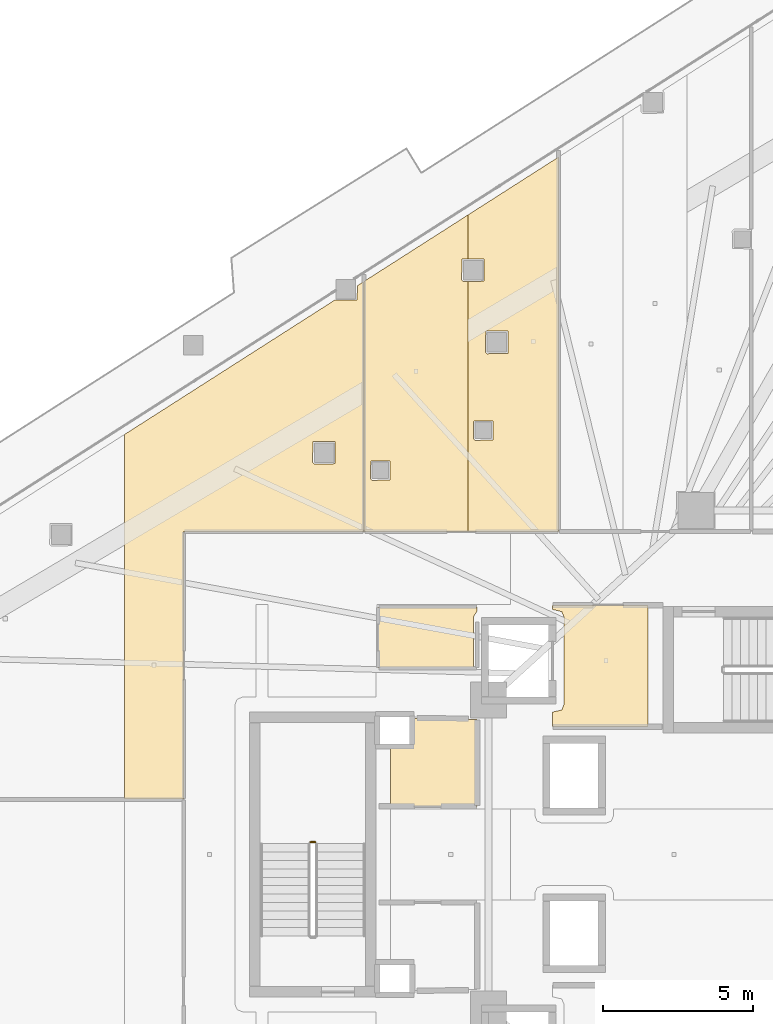
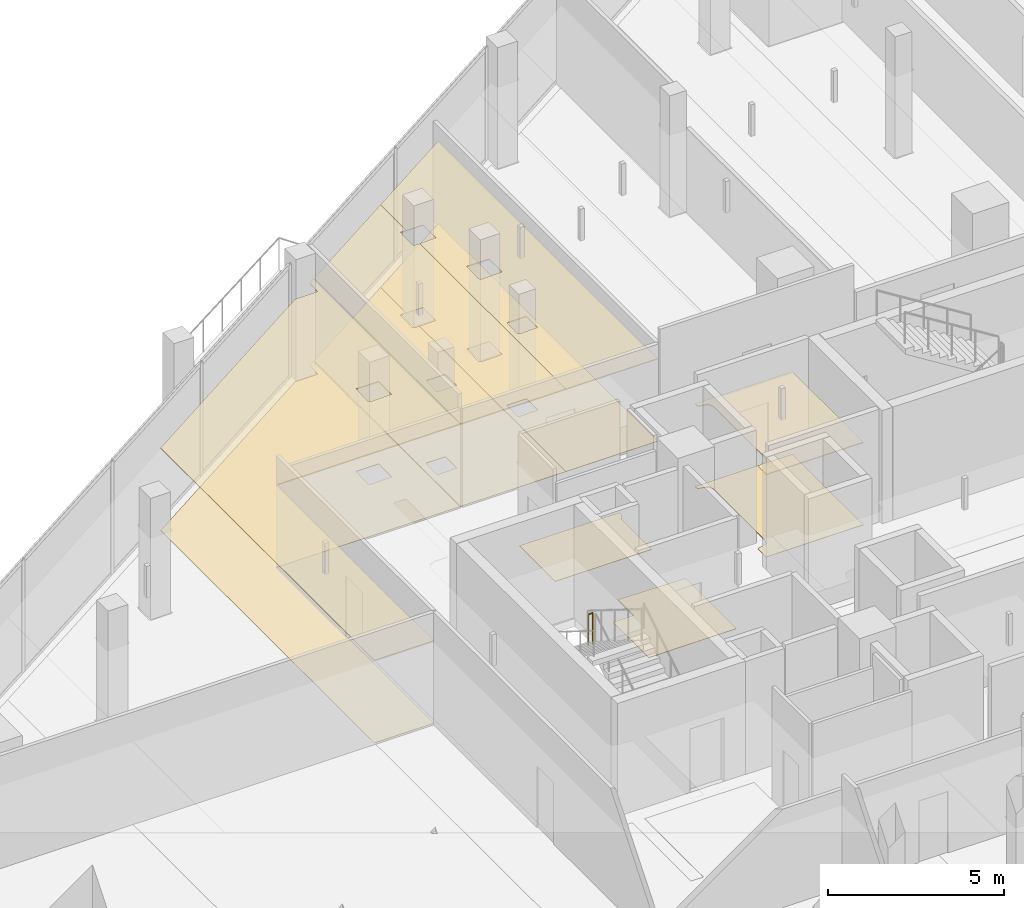
# One storey, part 42 of 45: 10 coverings, 1 railing.
"""IFC4 building model written with IfcOpenShell, lengths in metres."""

from ifc_helpers import new_model, si_unit, direction, frame, origin, origin_2d, place, context, subcontext, project, spatial, polyline, circle, outline, extrude, material, layer, layer_set, type_object, element, save


model = new_model("IFC4")

# Units and contexts
model_context = context("Model", 3, precision=1e-05, world=origin(), true_north=direction((0.0, 1.0)))
body_context = subcontext(model_context, "Body", "Model", "MODEL_VIEW")
ifc_project = project(units=[si_unit("LENGTHUNIT", "METRE"), si_unit("AREAUNIT", "SQUARE_METRE"), si_unit("VOLUMEUNIT", "CUBIC_METRE"), si_unit("PLANEANGLEUNIT", "RADIAN"), si_unit("MASSUNIT", "GRAM", prefix="KILO")], contexts=[model_context])

# Site, building, storey
site_placement = place(None, origin())
site = spatial("IfcSite", under=ifc_project, at=site_placement, CompositionType="ELEMENT")
building_placement = place(site_placement, origin())
building = spatial("IfcBuilding", under=site, at=building_placement, Name="Qorvath Tower", CompositionType="ELEMENT")
storey_placement = place(building_placement, frame((0.0, 0.0, 91.199951171875)))
storey = spatial("IfcBuildingStorey", under=building, at=storey_placement, Name="L20", CompositionType="ELEMENT", Elevation=91.199951171875)

# Coverings
ifc_material_1 = material(Name="Acoustic mineral fibre ceiling tile", Category="gypsum")
ifc_layer_1 = layer(ifc_material_1, 0.030029296875)
ifc_layer_set_1 = layer_set([ifc_layer_1], Name="COV-CEIL")
covering_type_1 = type_object("IfcCoveringType", Name="COV-CEIL", PredefinedType="CEILING", material=ifc_layer_set_1)
covering_1_placement = place(storey_placement, frame((0.0, 0.0, 2.85009765625)))
element("IfcCovering", 1, at=covering_1_placement, inside=storey, type_object=covering_type_1, Name="L20 Suspended Acoustic Ceiling 001", PredefinedType="CEILING", context=body_context, shape_type="SweptSolid", body=[
    extrude(outline(polyline([(-25.18994140625, 4.2548828125), (-25.18994140625, 8.294921875), (-28.375, 8.294921875), (-28.375, 8.159912109375), (-28.063232421875, 8.086669921875), (-27.989990234375, 7.909912109375), (-27.989990234375, 4.989990234375), (-28.063232421875, 4.813232421875), (-28.375, 4.739990234375), (-28.375, 4.2548828125), (-25.18994140625, 4.2548828125)])), origin(), (0.0, 0.0, 1.0), 0.030029296875),
])
covering_2_placement = place(storey_placement, frame((0.0, 0.0, 2.85009765625)))
element("IfcCovering", 2, at=covering_2_placement, inside=storey, type_object=covering_type_1, Name="L20 Suspended Acoustic Ceiling 010", PredefinedType="CEILING", context=body_context, shape_type="SweptSolid", body=[
    extrude(outline(polyline([(-31.190185546875, 10.762939453125), (-31.190185546875, 19.079345703125), (-31.341064453125, 19.075439453125), (-31.401123046875, 19.135498046875), (-31.383544921875, 19.827880859375), (-31.190185546875, 19.827880859375), (-31.190185546875, 21.297119140625), (-34.64501953125, 19.0888671875), (-34.64501953125, 10.762939453125), (-31.190185546875, 10.762939453125)]), holes=[polyline([(-34.439208984375, 12.517578125), (-34.421630859375, 13.10986328125), (-33.786865234375, 13.10986328125), (-33.786865234375, 12.47509765625), (-34.379150390625, 12.45751953125), (-34.439208984375, 12.517578125)])]), origin(), (0.0, 0.0, 1.0), 0.030029296875),
])
covering_3_placement = place(storey_placement, frame((0.0, 0.0, 2.85009765625)))
element("IfcCovering", 3, at=covering_3_placement, inside=storey, type_object=covering_type_1, Name="L20 Suspended Acoustic Ceiling 011", PredefinedType="CEILING", context=body_context, shape_type="SweptSolid", body=[
    extrude(outline(polyline([(-28.175537109375, 10.762939453125), (-28.175537109375, 23.223876953125), (-31.190185546875, 21.297119140625), (-31.190185546875, 19.827880859375), (-30.648681640625, 19.827880859375), (-30.648681640625, 19.093017578125), (-31.190185546875, 19.079345703125), (-31.190185546875, 10.762939453125), (-28.175537109375, 10.762939453125)]), holes=[polyline([(-30.60986328125, 16.734619140625), (-30.59228515625, 17.427001953125), (-29.857421875, 17.427001953125), (-29.857421875, 16.692138671875), (-30.5498046875, 16.674560546875), (-30.60986328125, 16.734619140625)]), polyline([(-31.01220703125, 13.849365234375), (-30.99462890625, 14.441650390625), (-30.35986328125, 14.441650390625), (-30.35986328125, 13.806884765625), (-30.9521484375, 13.789306640625), (-31.01220703125, 13.849365234375)])]), origin(), (0.0, 0.0, 1.0), 0.030029296875),
])
covering_4_placement = place(storey_placement, frame((0.0, 0.0, 2.85009765625)))
element("IfcCovering", 4, at=covering_4_placement, inside=storey, type_object=covering_type_1, Name="L20 Suspended Acoustic Ceiling 043", PredefinedType="CEILING", context=body_context, shape_type="SweptSolid", body=[
    extrude(outline(polyline([(-34.6630859375, 10.762939453125), (-34.6630859375, 19.077392578125), (-34.86669921875, 18.947265625), (-34.88427734375, 18.4619140625), (-35.62060546875, 18.46533203125), (-42.621337890625, 13.990966796875), (-42.621337890625, 1.843505859375), (-40.6630859375, 1.843505859375), (-40.66162109375, 10.761474609375), (-34.6630859375, 10.762939453125)]), holes=[polyline([(-36.36572265625, 13.055908203125), (-36.34814453125, 13.748291015625), (-35.61328125, 13.748291015625), (-35.61328125, 13.013427734375), (-36.3056640625, 12.995849609375), (-36.36572265625, 13.055908203125)])]), origin(), (0.0, 0.0, 1.0), 0.030029296875),
])
ifc_material_2 = material(Name="Low-VOC modular carpet tile", Category="textile")
ifc_layer_2 = layer(ifc_material_2, 0.014892578125)
ifc_layer_set_2 = layer_set([ifc_layer_2], Name="COV-FLOOR-CPT")
covering_type_2 = type_object("IfcCoveringType", Name="COV-FLOOR-CPT", PredefinedType="FLOORING", material=ifc_layer_set_2)
covering_5_placement = place(storey_placement, origin())
element("IfcCovering", 5, at=covering_5_placement, inside=storey, type_object=covering_type_2, Name="L20 Floor Finish 004", PredefinedType="FLOORING", context=body_context, shape_type="SweptSolid", body=[
    extrude(outline(polyline([(-33.760009765625, 3.636962890625), (-33.760009765625, 1.60498046875), (-30.885009765625, 1.60498046875), (-30.885009765625, 4.489990234375), (-33.0869140625, 4.534912109375), (-33.092041015625, 3.636962890625), (-33.760009765625, 3.636962890625)])), origin(), (0.0, 0.0, 1.0), 0.01513671875),
])
covering_6_placement = place(storey_placement, origin())
element("IfcCovering", 6, at=covering_6_placement, inside=storey, type_object=covering_type_2, Name="L20 Floor Finish 010", PredefinedType="FLOORING", context=body_context, shape_type="SweptSolid", body=[
    extrude(outline(polyline([(-31.190185546875, 10.762939453125), (-31.190185546875, 19.079345703125), (-31.341064453125, 19.075439453125), (-31.401123046875, 19.135498046875), (-31.383544921875, 19.827880859375), (-31.190185546875, 19.827880859375), (-31.190185546875, 21.297119140625), (-34.64501953125, 19.0888671875), (-34.64501953125, 10.762939453125), (-31.190185546875, 10.762939453125)]), holes=[polyline([(-34.439208984375, 12.517578125), (-34.421630859375, 13.10986328125), (-33.786865234375, 13.10986328125), (-33.786865234375, 12.47509765625), (-34.379150390625, 12.45751953125), (-34.439208984375, 12.517578125)])]), origin(), (0.0, 0.0, 1.0), 0.01513671875),
])
covering_7_placement = place(storey_placement, origin())
element("IfcCovering", 7, at=covering_7_placement, inside=storey, type_object=covering_type_2, Name="L20 Floor Finish 011", PredefinedType="FLOORING", context=body_context, shape_type="SweptSolid", body=[
    extrude(outline(polyline([(-28.175537109375, 10.762939453125), (-28.175537109375, 23.223876953125), (-31.190185546875, 21.297119140625), (-31.190185546875, 19.827880859375), (-30.648681640625, 19.827880859375), (-30.648681640625, 19.093017578125), (-31.190185546875, 19.079345703125), (-31.190185546875, 10.762939453125), (-28.175537109375, 10.762939453125)]), holes=[polyline([(-30.60986328125, 16.734619140625), (-30.59228515625, 17.427001953125), (-29.857421875, 17.427001953125), (-29.857421875, 16.692138671875), (-30.5498046875, 16.674560546875), (-30.60986328125, 16.734619140625)]), polyline([(-31.01220703125, 13.849365234375), (-30.99462890625, 14.441650390625), (-30.35986328125, 14.441650390625), (-30.35986328125, 13.806884765625), (-30.9521484375, 13.789306640625), (-31.01220703125, 13.849365234375)])]), origin(), (0.0, 0.0, 1.0), 0.01513671875),
])
covering_8_placement = place(storey_placement, origin())
element("IfcCovering", 8, at=covering_8_placement, inside=storey, type_object=covering_type_2, Name="L20 Floor Finish 043", PredefinedType="FLOORING", context=body_context, shape_type="SweptSolid", body=[
    extrude(outline(polyline([(-34.6630859375, 10.762939453125), (-34.6630859375, 19.077392578125), (-34.86669921875, 18.947265625), (-34.88427734375, 18.4619140625), (-35.62060546875, 18.46533203125), (-42.621337890625, 13.990966796875), (-42.621337890625, 1.843505859375), (-40.6630859375, 1.843505859375), (-40.66162109375, 10.761474609375), (-34.6630859375, 10.762939453125)]), holes=[polyline([(-36.36572265625, 13.055908203125), (-36.34814453125, 13.748291015625), (-35.61328125, 13.748291015625), (-35.61328125, 13.013427734375), (-36.3056640625, 12.995849609375), (-36.36572265625, 13.055908203125)])]), origin(), (0.0, 0.0, 1.0), 0.01513671875),
])
ifc_material_3 = material(Name="Polished epoxy terrazzo flooring", Category="concrete")
ifc_layer_3 = layer(ifc_material_3, 0.02001953125)
ifc_layer_set_3 = layer_set([ifc_layer_3], Name="COV-FLOOR-TRZ")
covering_type_3 = type_object("IfcCoveringType", Name="COV-FLOOR-TRZ", PredefinedType="FLOORING", material=ifc_layer_set_3)
covering_9_placement = place(storey_placement, origin())
element("IfcCovering", 9, at=covering_9_placement, inside=storey, type_object=covering_type_3, Name="L20 Floor Finish 001", PredefinedType="FLOORING", context=body_context, shape_type="SweptSolid", body=[
    extrude(outline(polyline([(-25.18994140625, 4.2548828125), (-25.18994140625, 8.294921875), (-28.375, 8.294921875), (-28.375, 8.159912109375), (-28.063232421875, 8.086669921875), (-27.989990234375, 7.909912109375), (-27.989990234375, 4.989990234375), (-28.063232421875, 4.813232421875), (-28.375, 4.739990234375), (-28.375, 4.2548828125), (-25.18994140625, 4.2548828125)])), origin(), (0.0, 0.0, 1.0), 0.01513671875),
])
covering_10_placement = place(storey_placement, origin())
element("IfcCovering", 10, at=covering_10_placement, inside=storey, type_object=covering_type_3, Name="L20 Floor Finish 003", PredefinedType="FLOORING", context=body_context, shape_type="SweptSolid", body=[
    extrude(outline(polyline([(-31.010009765625, 6.205078125), (-31.010009765625, 7.909912109375), (-30.885009765625, 8.108154296875), (-30.885009765625, 8.2451171875), (-34.175048828125, 8.2451171875), (-34.175048828125, 6.205078125), (-31.010009765625, 6.205078125)])), origin(), (0.0, 0.0, 1.0), 0.01513671875),
])

# Railing
ifc_material_4 = material(Name="Painted galvanised steel", Category="steel")
railing_type = type_object("IfcRailingType", Name="RL-STR-GRD", PredefinedType="GUARDRAIL", material=ifc_material_4)
railing_placement = place(storey_placement, frame((-36.280029296875, 0.409912109375, 2.10009765625)))
element("IfcRailing", 11, at=railing_placement, inside=storey, type_object=railing_type, Name="L20 TS3 stair guard 2", PredefinedType="GUARDRAIL", context=body_context, shape_type="SweptSolid", body=[
    extrude(circle(Radius=0.02392578125, at=origin_2d()), frame((0.0, 0.0, 1.076171875), z_axis=(-1.0, 0.0, 0.0), x_axis=(0.0, -1.0, 0.0)), (0.0, 0.0, 1.0), 0.14990234375),
    extrude(circle(Radius=0.02099609375, at=origin_2d()), origin(), (0.0, 0.0, 1.0), 1.052001953125),
    extrude(circle(Radius=0.02099609375, at=origin_2d()), frame((-0.14990234375, 0.0, 0.0)), (0.0, 0.0, 1.0), 1.052001953125),
])

save(model, "model.ifc")
